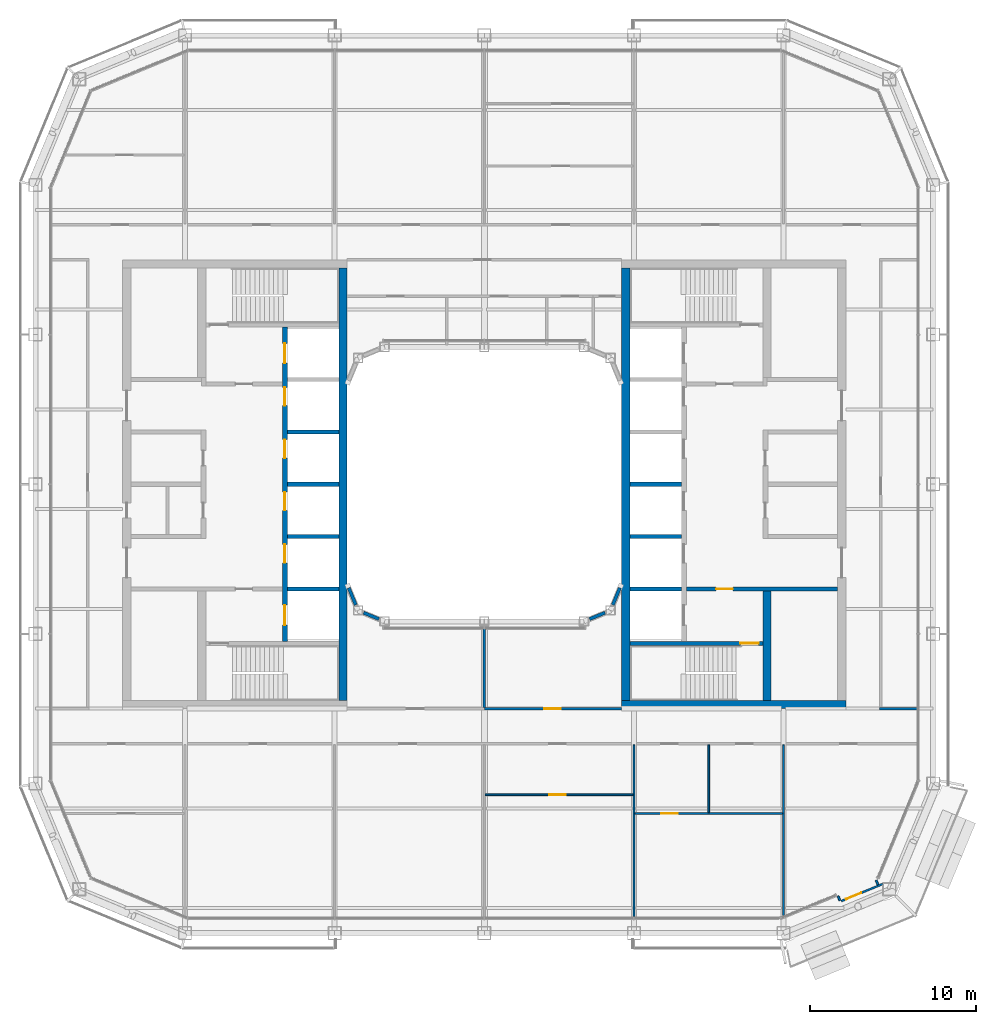
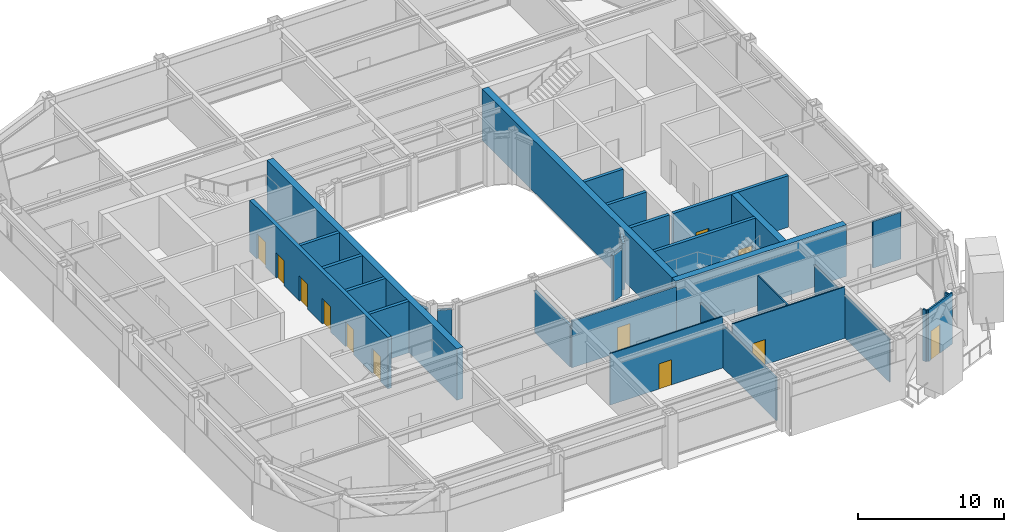
# One storey, part 13 of 23: 29 walls, 12 doors, 12 openings.
"""IFC4 building model written with IfcOpenShell, lengths in metres."""

from ifc_helpers import new_model, si_unit, direction, frame, frame_2d, origin, place, context, subcontext, project, spatial, rectangle, extrude, material, layer, layer_set, type_object, element, fill, save


model = new_model("IFC4")

# Units and contexts
model_context = context("Model", 3, precision=1e-05, world=origin(), true_north=direction((0.0, 1.0)))
body_context = subcontext(model_context, "Body", "Model", "MODEL_VIEW")
ifc_project = project(units=[si_unit("LENGTHUNIT", "METRE"), si_unit("AREAUNIT", "SQUARE_METRE"), si_unit("VOLUMEUNIT", "CUBIC_METRE"), si_unit("PLANEANGLEUNIT", "RADIAN"), si_unit("MASSUNIT", "GRAM", prefix="KILO")], contexts=[model_context])

# Site, building, storey
site_placement = place(None, origin())
site = spatial("IfcSite", under=ifc_project, at=site_placement, CompositionType="ELEMENT")
building_placement = place(site_placement, origin())
building = spatial("IfcBuilding", under=site, at=building_placement, Name="Siwar Civic Tower", CompositionType="ELEMENT")
storey_placement = place(building_placement, frame((0.0, 0.0, 273.699951171875)))
storey = spatial("IfcBuildingStorey", under=building, at=storey_placement, Name="L59", CompositionType="ELEMENT", Elevation=273.699951171875)

# Walls
ifc_material_1 = material(Name="Gypsum board on steel studs", Category="steel")
ifc_layer_1 = layer(ifc_material_1, 0.14990234375)
ifc_layer_set_1 = layer_set([ifc_layer_1], Name="Gypsum board on steel studs")
wall_type_1 = type_object("IfcWallType", Name="COMPARTMENT PARTITION 150 EI 60", PredefinedType="PARTITIONING", material=ifc_layer_set_1)
wall_1_placement = place(storey_placement, frame((0.0, -13.425048828125, 0.0), z_axis=(0.0, 0.0, 1.0), x_axis=(0.0, 1.0, 0.0)))
element("IfcWall", 1, at=wall_1_placement, inside=storey, type_object=wall_type_1, Name="L59/wall/P26", PredefinedType="PARTITIONING", context=body_context, shape_type="SweptSolid", body=[
    extrude(rectangle(XDim=4.824951171875, YDim=0.14990234375, at=frame_2d((2.41259765625, 0.0))), origin(), (0.0, 0.0, 1.0), 3.5),
])
ifc_material_2 = material(Name="Concrete C60/75", Category="concrete")
ifc_layer_2 = layer(ifc_material_2, 0.25)
ifc_layer_set_2 = layer_set([ifc_layer_2], Name="Concrete C60/75")
wall_type_2 = type_object("IfcWallType", Name="CORE-WALL-RC250", PredefinedType="SHEAR", material=ifc_layer_set_2)
for number, where, z_axis, x_axis, name in (
    (2, (-8.75, 0.0, 0.0), (0.0, 0.0, 1.0), (-1.0, 0.0, 0.0), "Core wall W"),
    (3, (-8.75, 3.14990234375, 0.0), (0.0, 0.0, 1.0), (-1.0, 0.0, 0.0), "Core wall W"),
    (4, (-8.75, -3.14990234375, 0.0), (0.0, 0.0, 1.0), (-1.0, 0.0, 0.0), "Core wall W"),
    (5, (-8.75, -6.300048828125, 0.0), (0.0, 0.0, 1.0), (-1.0, 0.0, 0.0), "Core wall W"),
):
    element("IfcWall", number, at=place(storey_placement, frame(where, z_axis=z_axis, x_axis=x_axis)), inside=storey, type_object=wall_type_2, Name=name, PredefinedType="SHEAR", context=body_context, shape_type="SweptSolid", body=[
        extrude(rectangle(XDim=3.10009765625, YDim=0.25, at=frame_2d((1.550048828125, 0.0))), origin(), (0.0, 0.0, 1.0), 4.300048828125),
    ])

# Wall, opening, door
wall_2_placement = place(storey_placement, frame((12.14990234375, -6.300048828125, 0.0), z_axis=(0.0, 0.0, 1.0), x_axis=(1.0, 0.0, 0.0)))
wall_2 = element("IfcWall", 6, at=wall_2_placement, inside=storey, type_object=wall_type_2, Name="Core wall E", PredefinedType="SHEAR", context=body_context, shape_type="SweptSolid", body=[
    extrude(rectangle(XDim=9.10009765625, YDim=0.25, at=frame_2d((4.550048828125, 0.0))), origin(), (0.0, 0.0, 1.0), 4.300048828125),
])
opening_1_placement = place(wall_2_placement, frame((1.800048828125, 0.0, 0.0)))
opening_1 = element("IfcOpeningElement", 7, at=opening_1_placement, cuts=wall_2, Name="Opening L59-CE02", PredefinedType="OPENING", context=body_context, shape_type="SweptSolid", body=[
    extrude(rectangle(XDim=1.0, YDim=2.10009765625, at=frame_2d((0.5, 1.050048828125))), frame((0.0, 0.135009765625, 0.0), z_axis=(0.0, -1.0, 0.0), x_axis=(1.0, 0.0, 0.0)), (0.0, 0.0, 1.0), 0.27001953125),
])
ifc_material_3 = material(Name="Steel door leaf", Category="steel")
door_type_1 = type_object("IfcDoorType", Name="CORE-DOOR-FD30S", OperationType="SINGLE_SWING_LEFT", PredefinedType="DOOR", material=ifc_material_3)
door_1_placement = place(opening_1_placement, origin())
door_1 = element("IfcDoor", 8, at=door_1_placement, inside=storey, type_object=door_type_1, Name="Service lobby door L59-CE02", OperationType="SINGLE_SWING_LEFT", OverallHeight=2.10009765625, OverallWidth=1.0, PredefinedType="DOOR", context=body_context, shape_type="SweptSolid", body=[
    extrude(rectangle(XDim=1.0, YDim=2.10009765625, at=frame_2d((0.5, 1.050048828125))), frame((0.0, 0.02490234375, 0.0), z_axis=(0.0, -1.0, 0.0), x_axis=(1.0, 0.0, 0.0)), (0.0, 0.0, 1.0), 0.050048828125),
])
fill(opening_1, door_1)

# Walls
for number, where, z_axis, x_axis, name in (
    (9, (8.75, 0.0, 0.0), (0.0, 0.0, 1.0), (1.0, 0.0, 0.0), "Core wall E"),
    (10, (8.75, -3.14990234375, 0.0), (0.0, 0.0, 1.0), (1.0, 0.0, 0.0), "Core wall E"),
    (11, (8.75, -6.300048828125, 0.0), (0.0, 0.0, 1.0), (1.0, 0.0, 0.0), "Core wall E"),
):
    element("IfcWall", number, at=place(storey_placement, frame(where, z_axis=z_axis, x_axis=x_axis)), inside=storey, type_object=wall_type_2, Name=name, PredefinedType="SHEAR", context=body_context, shape_type="SweptSolid", body=[
        extrude(rectangle(XDim=3.10009765625, YDim=0.25, at=frame_2d((1.550048828125, 0.0))), origin(), (0.0, 0.0, 1.0), 4.300048828125),
    ])

# Wall, opening, door
wall_3_placement = place(storey_placement, frame((8.75, -9.574951171875, 0.0), z_axis=(0.0, 0.0, 1.0), x_axis=(1.0, 0.0, 0.0)))
wall_3 = element("IfcWall", 12, at=wall_3_placement, inside=storey, type_object=wall_type_2, Name="Core wall E", PredefinedType="SHEAR", context=body_context, shape_type="SweptSolid", body=[
    extrude(rectangle(XDim=8.0, YDim=0.25, at=frame_2d((4.0, 0.0))), origin(), (0.0, 0.0, 1.0), 4.300048828125),
])
opening_2_placement = place(wall_3_placement, frame((6.64990234375, 0.0, 0.0)))
opening_2 = element("IfcOpeningElement", 13, at=opening_2_placement, cuts=wall_3, Name="Opening L59-CE04", PredefinedType="OPENING", context=body_context, shape_type="SweptSolid", body=[
    extrude(rectangle(XDim=1.10009765625, YDim=2.10009765625, at=frame_2d((0.550048828125, 1.050048828125))), frame((0.0, 0.135009765625, 0.0), z_axis=(0.0, -1.0, 0.0), x_axis=(1.0, 0.0, 0.0)), (0.0, 0.0, 1.0), 0.27001953125),
])
ifc_material_4 = material(Name="Steel door leaf", Category="steel")
door_type_2 = type_object("IfcDoorType", Name="CORE-DOOR-FD60S", OperationType="SINGLE_SWING_LEFT", PredefinedType="DOOR", material=ifc_material_4)
door_2_placement = place(opening_2_placement, origin())
door_2 = element("IfcDoor", 14, at=door_2_placement, inside=storey, type_object=door_type_2, Name="Stair door L59-CE04", OperationType="SINGLE_SWING_RIGHT", OverallHeight=2.10009765625, OverallWidth=1.10009765625, PredefinedType="DOOR", context=body_context, shape_type="SweptSolid", body=[
    extrude(rectangle(XDim=1.10009765625, YDim=2.10009765625, at=frame_2d((0.550048828125, 1.050048828125))), frame((0.0, 0.02490234375, 0.0), z_axis=(0.0, -1.0, 0.0), x_axis=(1.0, 0.0, 0.0)), (0.0, 0.0, 1.0), 0.050048828125),
])
fill(opening_2, door_2)

# Wall, openings, doors
ifc_material_5 = material(Name="Concrete C60/75", Category="concrete")
ifc_layer_3 = layer(ifc_material_5, 0.300048828125)
ifc_layer_set_3 = layer_set([ifc_layer_3], Name="Concrete C60/75")
wall_type_3 = type_object("IfcWallType", Name="CORE-WALL-RC300", PredefinedType="SHEAR", material=ifc_layer_set_3)
wall_4_placement = place(storey_placement, frame((-12.0, -9.449951171875, 0.0), z_axis=(0.0, 0.0, 1.0), x_axis=(0.0, 1.0, 0.0)))
wall_4 = element("IfcWall", 15, at=wall_4_placement, inside=storey, type_object=wall_type_3, Name="Core wall W", PredefinedType="SHEAR", context=body_context, shape_type="SweptSolid", body=[
    extrude(rectangle(XDim=18.89990234375, YDim=0.300048828125, at=frame_2d((9.449951171875, 0.0))), origin(), (0.0, 0.0, 1.0), 4.300048828125),
])
opening_3_placement = place(wall_4_placement, frame((4.72509765625, 0.0, 0.0)))
opening_3 = element("IfcOpeningElement", 16, at=opening_3_placement, cuts=wall_4, Name="Opening L59-CW07", PredefinedType="OPENING", context=body_context, shape_type="SweptSolid", body=[
    extrude(rectangle(XDim=1.10009765625, YDim=2.10009765625, at=frame_2d((0.550048828125, 1.050048828125))), frame((0.0, 0.16015625, 0.0), z_axis=(0.0, -1.0, 0.0), x_axis=(1.0, 0.0, 0.0)), (0.0, 0.0, 1.0), 0.320068359375),
])
opening_4_placement = place(wall_4_placement, frame((7.875, 0.0, 0.0)))
opening_4 = element("IfcOpeningElement", 17, at=opening_4_placement, cuts=wall_4, Name="Opening L59-CW08", PredefinedType="OPENING", context=body_context, shape_type="SweptSolid", body=[
    extrude(rectangle(XDim=1.10009765625, YDim=2.10009765625, at=frame_2d((0.550048828125, 1.050048828125))), frame((0.0, 0.16015625, 0.0), z_axis=(0.0, -1.0, 0.0), x_axis=(1.0, 0.0, 0.0)), (0.0, 0.0, 1.0), 0.320068359375),
])
opening_5_placement = place(wall_4_placement, frame((11.02490234375, 0.0, 0.0)))
opening_5 = element("IfcOpeningElement", 18, at=opening_5_placement, cuts=wall_4, Name="Opening L59-CW09", PredefinedType="OPENING", context=body_context, shape_type="SweptSolid", body=[
    extrude(rectangle(XDim=1.10009765625, YDim=2.10009765625, at=frame_2d((0.550048828125, 1.050048828125))), frame((0.0, 0.16015625, 0.0), z_axis=(0.0, -1.0, 0.0), x_axis=(1.0, 0.0, 0.0)), (0.0, 0.0, 1.0), 0.320068359375),
])
opening_6_placement = place(wall_4_placement, frame((14.175048828125, 0.0, 0.0)))
opening_6 = element("IfcOpeningElement", 19, at=opening_6_placement, cuts=wall_4, Name="Opening L59-CW10", PredefinedType="OPENING", context=body_context, shape_type="SweptSolid", body=[
    extrude(rectangle(XDim=1.10009765625, YDim=2.10009765625, at=frame_2d((0.550048828125, 1.050048828125))), frame((0.0, 0.16015625, 0.0), z_axis=(0.0, -1.0, 0.0), x_axis=(1.0, 0.0, 0.0)), (0.0, 0.0, 1.0), 0.320068359375),
])
opening_7_placement = place(wall_4_placement, frame((16.72509765625, 0.0, 0.0)))
opening_7 = element("IfcOpeningElement", 20, at=opening_7_placement, cuts=wall_4, Name="Opening L59-CW11", PredefinedType="OPENING", context=body_context, shape_type="SweptSolid", body=[
    extrude(rectangle(XDim=1.199951171875, YDim=2.10009765625, at=frame_2d((0.60009765625, 1.050048828125))), frame((0.0, 0.16015625, 0.0), z_axis=(0.0, -1.0, 0.0), x_axis=(1.0, 0.0, 0.0)), (0.0, 0.0, 1.0), 0.320068359375),
])
opening_8_placement = place(wall_4_placement, frame((0.97509765625, 0.0, 0.0)))
opening_8 = element("IfcOpeningElement", 21, at=opening_8_placement, cuts=wall_4, Name="Opening L59-CW12", PredefinedType="OPENING", context=body_context, shape_type="SweptSolid", body=[
    extrude(rectangle(XDim=1.199951171875, YDim=2.10009765625, at=frame_2d((0.60009765625, 1.050048828125))), frame((0.0, 0.16015625, 0.0), z_axis=(0.0, -1.0, 0.0), x_axis=(1.0, 0.0, 0.0)), (0.0, 0.0, 1.0), 0.320068359375),
])
ifc_material_6 = material(Name="Steel door leaf", Category="steel")
door_type_3 = type_object("IfcDoorType", Name="CORE-DOOR-LD", OperationType="DOUBLE_DOOR_SLIDING", PredefinedType="DOOR", material=ifc_material_6)
door_3_placement = place(opening_3_placement, origin())
door_3 = element("IfcDoor", 22, at=door_3_placement, inside=storey, type_object=door_type_3, Name="Landing door HR1 L59-CW07", OperationType="DOUBLE_DOOR_SLIDING", OverallHeight=2.10009765625, OverallWidth=1.10009765625, PredefinedType="DOOR", context=body_context, shape_type="SweptSolid", body=[
    extrude(rectangle(XDim=1.10009765625, YDim=2.10009765625, at=frame_2d((0.550048828125, 1.050048828125))), frame((0.0, 0.02490234375, 0.0), z_axis=(0.0, -1.0, 0.0), x_axis=(1.0, 0.0, 0.0)), (0.0, 0.0, 1.0), 0.050048828125),
])
fill(opening_3, door_3)
door_4_placement = place(opening_4_placement, origin())
door_4 = element("IfcDoor", 23, at=door_4_placement, inside=storey, type_object=door_type_3, Name="Landing door HR2 L59-CW08", OperationType="DOUBLE_DOOR_SLIDING", OverallHeight=2.10009765625, OverallWidth=1.10009765625, PredefinedType="DOOR", context=body_context, shape_type="SweptSolid", body=[
    extrude(rectangle(XDim=1.10009765625, YDim=2.10009765625, at=frame_2d((0.550048828125, 1.050048828125))), frame((0.0, 0.02490234375, 0.0), z_axis=(0.0, -1.0, 0.0), x_axis=(1.0, 0.0, 0.0)), (0.0, 0.0, 1.0), 0.050048828125),
])
fill(opening_4, door_4)
door_5_placement = place(opening_5_placement, origin())
door_5 = element("IfcDoor", 24, at=door_5_placement, inside=storey, type_object=door_type_3, Name="Landing door HR3 L59-CW09", OperationType="DOUBLE_DOOR_SLIDING", OverallHeight=2.10009765625, OverallWidth=1.10009765625, PredefinedType="DOOR", context=body_context, shape_type="SweptSolid", body=[
    extrude(rectangle(XDim=1.10009765625, YDim=2.10009765625, at=frame_2d((0.550048828125, 1.050048828125))), frame((0.0, 0.02490234375, 0.0), z_axis=(0.0, -1.0, 0.0), x_axis=(1.0, 0.0, 0.0)), (0.0, 0.0, 1.0), 0.050048828125),
])
fill(opening_5, door_5)
door_6_placement = place(opening_6_placement, origin())
door_6 = element("IfcDoor", 25, at=door_6_placement, inside=storey, type_object=door_type_3, Name="Landing door HR4 L59-CW10", OperationType="DOUBLE_DOOR_SLIDING", OverallHeight=2.10009765625, OverallWidth=1.10009765625, PredefinedType="DOOR", context=body_context, shape_type="SweptSolid", body=[
    extrude(rectangle(XDim=1.10009765625, YDim=2.10009765625, at=frame_2d((0.550048828125, 1.050048828125))), frame((0.0, 0.02490234375, 0.0), z_axis=(0.0, -1.0, 0.0), x_axis=(1.0, 0.0, 0.0)), (0.0, 0.0, 1.0), 0.050048828125),
])
fill(opening_6, door_6)
ifc_material_7 = material(Name="Steel door leaf", Category="steel")
door_type_4 = type_object("IfcDoorType", Name="CORE-DOOR-LDW", OperationType="DOUBLE_DOOR_SLIDING", PredefinedType="DOOR", material=ifc_material_7)
door_7_placement = place(opening_7_placement, origin())
door_7 = element("IfcDoor", 26, at=door_7_placement, inside=storey, type_object=door_type_4, Name="Landing door FF1 L59-CW11", OperationType="DOUBLE_DOOR_SLIDING", OverallHeight=2.10009765625, OverallWidth=1.199951171875, PredefinedType="DOOR", context=body_context, shape_type="SweptSolid", body=[
    extrude(rectangle(XDim=1.199951171875, YDim=2.10009765625, at=frame_2d((0.60009765625, 1.050048828125))), frame((0.0, 0.02490234375, 0.0), z_axis=(0.0, -1.0, 0.0), x_axis=(1.0, 0.0, 0.0)), (0.0, 0.0, 1.0), 0.050048828125),
])
fill(opening_7, door_7)
door_8_placement = place(opening_8_placement, origin())
door_8 = element("IfcDoor", 27, at=door_8_placement, inside=storey, type_object=door_type_4, Name="Landing door SV1 L59-CW12", OperationType="DOUBLE_DOOR_SLIDING", OverallHeight=2.10009765625, OverallWidth=1.199951171875, PredefinedType="DOOR", context=body_context, shape_type="SweptSolid", body=[
    extrude(rectangle(XDim=1.199951171875, YDim=2.10009765625, at=frame_2d((0.60009765625, 1.050048828125))), frame((0.0, 0.02490234375, 0.0), z_axis=(0.0, -1.0, 0.0), x_axis=(1.0, 0.0, 0.0)), (0.0, 0.0, 1.0), 0.050048828125),
])
fill(opening_8, door_8)

# Walls
ifc_material_8 = material(Name="Concrete C60/75", Category="concrete")
ifc_layer_4 = layer(ifc_material_8, 0.5)
ifc_layer_set_4 = layer_set([ifc_layer_4], Name="Concrete C60/75")
wall_type_4 = type_object("IfcWallType", Name="CORE-WALL-RC500", PredefinedType="SHEAR", material=ifc_layer_set_4)
wall_5_placement = place(storey_placement, frame((17.0, -13.0, 0.0), z_axis=(0.0, 0.0, 1.0), x_axis=(0.0, 1.0, 0.0)))
element("IfcWall", 28, at=wall_5_placement, inside=storey, type_object=wall_type_4, Name="Core wall E", PredefinedType="SHEAR", context=body_context, shape_type="SweptSolid", body=[
    extrude(rectangle(XDim=6.574951171875, YDim=0.5, at=frame_2d((3.28759765625, 0.0))), origin(), (0.0, 0.0, 1.0), 4.300048828125),
])
wall_6_placement = place(storey_placement, frame((8.25, -13.25, 0.0), z_axis=(0.0, 0.0, 1.0), x_axis=(1.0, 0.0, 0.0)))
element("IfcWall", 29, at=wall_6_placement, inside=storey, type_object=wall_type_4, Name="Core wall E", PredefinedType="SHEAR", context=body_context, shape_type="SweptSolid", body=[
    extrude(rectangle(XDim=13.5, YDim=0.5, at=frame_2d((6.75, 0.0))), origin(), (0.0, 0.0, 1.0), 4.300048828125),
])
ifc_material_9 = material(Name="Concrete C60/75", Category="concrete")
ifc_layer_5 = layer(ifc_material_9, 0.5)
ifc_layer_set_5 = layer_set([ifc_layer_5], Name="Concrete C60/75")
wall_type_5 = type_object("IfcWallType", Name="CORE-WALL-RC500-EXT", PredefinedType="SHEAR", material=ifc_layer_set_5)
for number, where, z_axis, x_axis, name in (
    (30, (-8.5, -13.0, 0.0), (0.0, 0.0, 1.0), (0.0, 1.0, 0.0), "Core wall W"),
    (31, (8.5, -13.0, 0.0), (0.0, 0.0, 1.0), (0.0, 1.0, 0.0), "Core wall E"),
):
    element("IfcWall", number, at=place(storey_placement, frame(where, z_axis=z_axis, x_axis=x_axis)), inside=storey, type_object=wall_type_5, Name=name, PredefinedType="SHEAR", context=body_context, shape_type="SweptSolid", body=[
        extrude(rectangle(XDim=26.0, YDim=0.5, at=frame_2d((13.0, 0.0))), origin(), (0.0, 0.0, 1.0), 4.300048828125),
    ])

# Wall, opening, door
ifc_material_10 = material(Name="Gypsum board on steel studs", Category="steel")
ifc_layer_6 = layer(ifc_material_10, 0.14990234375)
ifc_layer_set_6 = layer_set([ifc_layer_6], Name="Gypsum board on steel studs")
wall_type_6 = type_object("IfcWallType", Name="CORRIDOR PARTITION 150 EI 30", PredefinedType="PARTITIONING", material=ifc_layer_set_6)
wall_7_placement = place(storey_placement, frame((0.0, -13.5, 0.0), z_axis=(0.0, 0.0, 1.0), x_axis=(1.0, 0.0, 0.0)))
wall_7 = element("IfcWall", 32, at=wall_7_placement, inside=storey, type_object=wall_type_6, Name="L59/wall/P06", PredefinedType="PARTITIONING", context=body_context, shape_type="SweptSolid", body=[
    extrude(rectangle(XDim=8.25, YDim=0.14990234375, at=frame_2d((4.125, 0.0))), origin(), (0.0, 0.0, 1.0), 3.900146484375),
])
opening_9_placement = place(wall_7_placement, frame((3.60009765625, 0.0, 0.0)))
opening_9 = element("IfcOpeningElement", 33, at=opening_9_placement, cuts=wall_7, Name="Opening D1", PredefinedType="OPENING", context=body_context, shape_type="SweptSolid", body=[
    extrude(rectangle(XDim=1.0, YDim=2.10009765625, at=frame_2d((0.5, 1.050048828125))), frame((0.0, 0.0849609375, 0.0), z_axis=(0.0, -1.0, 0.0), x_axis=(1.0, 0.0, 0.0)), (0.0, 0.0, 1.0), 0.169921875),
])
ifc_material_11 = material(Name="Timber, painted", Category="wood")
door_type_5 = type_object("IfcDoorType", Name="DOOR 1000 X 2100 FD30", OperationType="SINGLE_SWING_LEFT", PredefinedType="DOOR", material=ifc_material_11)
door_9_placement = place(opening_9_placement, origin())
door_9 = element("IfcDoor", 34, at=door_9_placement, inside=storey, type_object=door_type_5, Name="L59-D28", OperationType="SINGLE_SWING_RIGHT", OverallHeight=2.10009765625, OverallWidth=1.0, PredefinedType="DOOR", context=body_context, shape_type="SweptSolid", body=[
    extrude(rectangle(XDim=1.0, YDim=2.10009765625, at=frame_2d((0.5, 1.050048828125))), frame((0.0, 0.02490234375, 0.0), z_axis=(0.0, -1.0, 0.0), x_axis=(1.0, 0.0, 0.0)), (0.0, 0.0, 1.0), 0.050048828125),
])
fill(opening_9, door_9)

# Walls
wall_8_placement = place(storey_placement, frame((23.77490234375, -13.5, 0.0), z_axis=(0.0, 0.0, 1.0), x_axis=(1.0, 0.0, 0.0)))
element("IfcWall", 35, at=wall_8_placement, inside=storey, type_object=wall_type_6, Name="L59/wall/P07", PredefinedType="PARTITIONING", context=body_context, shape_type="SweptSolid", body=[
    extrude(rectangle(XDim=2.235107421875, YDim=0.14990234375, at=frame_2d((1.11767578125, 0.0))), origin(), (0.0, 0.0, 1.0), 3.900146484375),
])
ifc_material_12 = material(Name="Aluminium clad insulated panel", Category="aluminium")
ifc_layer_7 = layer(ifc_material_12, 0.1201171875)
ifc_layer_set_7 = layer_set([ifc_layer_7], Name="Aluminium clad insulated panel")
wall_type_7 = type_object("IfcWallType", Name="ENV-WALL-BAL", PredefinedType="STANDARD", material=ifc_layer_set_7)
wall_9_placement = place(storey_placement, frame((21.27587890625, -24.766357421875, 0.0), z_axis=(0.0, 0.0, 1.0), x_axis=(0.382591441855, -0.923917630863, 0.0)))
element("IfcWall", 36, at=wall_9_placement, inside=storey, type_object=wall_type_7, Name="Balcony door wall return SE1", PredefinedType="STANDARD", context=body_context, shape_type="SweptSolid", body=[
    extrude(rectangle(XDim=0.2998046875, YDim=0.1201171875, at=frame_2d((0.14990234375, 0.0))), origin(), (0.0, 0.0, 1.0), 4.300048828125),
])
wall_10_placement = place(storey_placement, frame((23.56640625, -23.817626953125, 0.0), z_axis=(0.0, 0.0, 1.0), x_axis=(0.383285987724, -0.923629715641, 0.0)))
element("IfcWall", 37, at=wall_10_placement, inside=storey, type_object=wall_type_7, Name="Balcony door wall return SE1", PredefinedType="STANDARD", context=body_context, shape_type="SweptSolid", body=[
    extrude(rectangle(XDim=0.300048828125, YDim=0.1201171875, at=frame_2d((0.14990234375, 0.0))), origin(), (0.0, 0.0, 1.0), 4.300048828125),
])

# Wall, opening, door
wall_11_placement = place(storey_placement, frame((21.468994140625, -25.075927734375, 0.0), z_axis=(0.0, 0.0, 1.0), x_axis=(0.923874686516, 0.382695131424, 0.0)))
wall_11 = element("IfcWall", 38, at=wall_11_placement, inside=storey, type_object=wall_type_7, Name="Balcony door wall SE1", PredefinedType="STANDARD", context=body_context, shape_type="SweptSolid", body=[
    extrude(rectangle(XDim=2.700439453125, YDim=0.1201171875, at=frame_2d((1.35009765625, 0.0))), origin(), (0.0, 0.0, 1.0), 4.300048828125),
])
opening_10_placement = place(wall_11_placement, frame((0.300048828125, 0.0, 0.0)))
opening_10 = element("IfcOpeningElement", 39, at=opening_10_placement, cuts=wall_11, Name="Opening D-BAL", PredefinedType="OPENING", context=body_context, shape_type="SweptSolid", body=[
    extrude(rectangle(XDim=1.0, YDim=2.39990234375, at=frame_2d((0.5, 1.199951171875))), frame((0.0, 0.070068359375, 0.0), z_axis=(0.0, -1.0, 0.0), x_axis=(1.0, 0.0, 0.0)), (0.0, 0.0, 1.0), 0.14013671875),
])
ifc_material_13 = material(Name="Aluminium and glass", Category="aluminium")
door_type_6 = type_object("IfcDoorType", Name="ENV-DOOR-BAL", OperationType="SINGLE_SWING_LEFT", PredefinedType="DOOR", material=ifc_material_13)
door_10_placement = place(opening_10_placement, origin())
door_10 = element("IfcDoor", 40, at=door_10_placement, inside=storey, type_object=door_type_6, Name="Balcony door SE", OperationType="SINGLE_SWING_LEFT", OverallHeight=2.39990234375, OverallWidth=1.0, PredefinedType="DOOR", context=body_context, shape_type="SweptSolid", body=[
    extrude(rectangle(XDim=1.0, YDim=2.39990234375, at=frame_2d((0.5, 1.199951171875))), frame((0.0, 0.02490234375, 0.0), z_axis=(0.0, -1.0, 0.0), x_axis=(1.0, 0.0, 0.0)), (0.0, 0.0, 1.0), 0.050048828125),
])
fill(opening_10, door_10)

# Walls
ifc_material_14 = material(Name="Aluminium clad insulated panel", Category="aluminium")
ifc_layer_8 = layer(ifc_material_14, 0.199951171875)
ifc_layer_set_8 = layer_set([ifc_layer_8], Name="Aluminium clad insulated panel")
wall_type_8 = type_object("IfcWallType", Name="ENV-WALL-WELL", PredefinedType="STANDARD", material=ifc_layer_set_8)
wall_12_placement = place(storey_placement, frame((6.33203125, -8.112548828125, 0.0), z_axis=(0.0, 0.0, 1.0), x_axis=(0.923859650767, 0.382731427616, 0.0)))
element("IfcWall", 41, at=wall_12_placement, inside=storey, type_object=wall_type_8, Name="Light well corner wall SE1", PredefinedType="STANDARD", context=body_context, shape_type="SweptSolid", body=[
    extrude(rectangle(XDim=1.00341796875, YDim=0.199951171875, at=frame_2d((0.501708984375, 0.0))), origin(), (0.0, 0.0, 1.0), 3.8681640625),
])
for number, where, z_axis, x_axis, name in (
    (42, (7.728515625, -7.259033203125, 0.0), (0.0, 0.0, 1.0), (0.382635994082, 0.923899180665, 0.0), "Light well corner wall SE2"),
    (43, (-8.154296875, -6.23095703125, 0.0), (0.0, 0.0, 1.0), (0.382635994082, -0.923899180665, 0.0), "Light well corner wall SW1"),
):
    element("IfcWall", number, at=place(storey_placement, frame(where, z_axis=z_axis, x_axis=x_axis)), inside=storey, type_object=wall_type_8, Name=name, PredefinedType="STANDARD", context=body_context, shape_type="SweptSolid", body=[
        extrude(rectangle(XDim=1.11279296875, YDim=0.199951171875, at=frame_2d((0.556396484375, 0.0))), origin(), (0.0, 0.0, 1.0), 3.8681640625),
    ])
wall_13_placement = place(storey_placement, frame((-7.259033203125, -7.728515625, 0.0), z_axis=(0.0, 0.0, 1.0), x_axis=(0.923859650767, -0.382731427616, 0.0)))
element("IfcWall", 44, at=wall_13_placement, inside=storey, type_object=wall_type_8, Name="Light well corner wall SW2", PredefinedType="STANDARD", context=body_context, shape_type="SweptSolid", body=[
    extrude(rectangle(XDim=1.00341796875, YDim=0.199951171875, at=frame_2d((0.501708984375, 0.0))), origin(), (0.0, 0.0, 1.0), 3.8681640625),
])

# Wall, opening, door
ifc_material_15 = material(Name="Gypsum board on steel studs", Category="steel")
ifc_layer_9 = layer(ifc_material_15, 0.10009765625)
ifc_layer_set_9 = layer_set([ifc_layer_9], Name="Gypsum board on steel studs")
wall_type_9 = type_object("IfcWallType", Name="PARTITION 100 GYPSUM", PredefinedType="PARTITIONING", material=ifc_layer_set_9)
wall_14_placement = place(storey_placement, frame((9.050048828125, -19.800048828125, 0.0), z_axis=(0.0, 0.0, 1.0), x_axis=(1.0, 0.0, 0.0)))
wall_14 = element("IfcWall", 45, at=wall_14_placement, inside=storey, type_object=wall_type_9, Name="L59/wall/P02", PredefinedType="PARTITIONING", context=body_context, shape_type="SweptSolid", body=[
    extrude(rectangle(XDim=8.89990234375, YDim=0.10009765625, at=frame_2d((4.449951171875, 0.0))), origin(), (0.0, 0.0, 1.0), 4.300048828125),
])
opening_11_placement = place(wall_14_placement, frame((1.60009765625, 0.0, 0.0)))
opening_11 = element("IfcOpeningElement", 46, at=opening_11_placement, cuts=wall_14, Name="Opening D2", PredefinedType="OPENING", context=body_context, shape_type="SweptSolid", body=[
    extrude(rectangle(XDim=1.0, YDim=2.10009765625, at=frame_2d((0.5, 1.050048828125))), frame((0.0, 0.06005859375, 0.0), z_axis=(0.0, -1.0, 0.0), x_axis=(1.0, 0.0, 0.0)), (0.0, 0.0, 1.0), 0.1201171875),
])
ifc_material_16 = material(Name="Timber, painted", Category="wood")
door_type_7 = type_object("IfcDoorType", Name="DOOR 1000 X 2100", OperationType="SINGLE_SWING_LEFT", PredefinedType="DOOR", material=ifc_material_16)
door_11_placement = place(opening_11_placement, origin())
door_11 = element("IfcDoor", 47, at=door_11_placement, inside=storey, type_object=door_type_7, Name="L59-D13", OperationType="SINGLE_SWING_LEFT", OverallHeight=2.10009765625, OverallWidth=1.0, PredefinedType="DOOR", context=body_context, shape_type="SweptSolid", body=[
    extrude(rectangle(XDim=1.0, YDim=2.10009765625, at=frame_2d((0.5, 1.050048828125))), frame((0.0, 0.02490234375, 0.0), z_axis=(0.0, -1.0, 0.0), x_axis=(1.0, 0.0, 0.0)), (0.0, 0.0, 1.0), 0.050048828125),
])
fill(opening_11, door_11)

wall_15_placement = place(storey_placement, frame((0.050048828125, -18.679931640625, 0.0), z_axis=(0.0, 0.0, 1.0), x_axis=(1.0, 0.0, 0.0)))
wall_15 = element("IfcWall", 48, at=wall_15_placement, inside=storey, type_object=wall_type_9, Name="L59/wall/P03", PredefinedType="PARTITIONING", context=body_context, shape_type="SweptSolid", body=[
    extrude(rectangle(XDim=8.89990234375, YDim=0.10009765625, at=frame_2d((4.449951171875, 0.0))), origin(), (0.0, 0.0, 1.0), 4.300048828125),
])
opening_12_placement = place(wall_15_placement, frame((3.85009765625, 0.0, 0.0)))
opening_12 = element("IfcOpeningElement", 49, at=opening_12_placement, cuts=wall_15, Name="Opening D2", PredefinedType="OPENING", context=body_context, shape_type="SweptSolid", body=[
    extrude(rectangle(XDim=1.0, YDim=2.10009765625, at=frame_2d((0.5, 1.050048828125))), frame((0.0, 0.06005859375, 0.0), z_axis=(0.0, -1.0, 0.0), x_axis=(1.0, 0.0, 0.0)), (0.0, 0.0, 1.0), 0.1201171875),
])
door_12_placement = place(opening_12_placement, origin())
door_12 = element("IfcDoor", 50, at=door_12_placement, inside=storey, type_object=door_type_7, Name="L59-D10", OperationType="SINGLE_SWING_RIGHT", OverallHeight=2.10009765625, OverallWidth=1.0, PredefinedType="DOOR", context=body_context, shape_type="SweptSolid", body=[
    extrude(rectangle(XDim=1.0, YDim=2.10009765625, at=frame_2d((0.5, 1.050048828125))), frame((0.0, 0.02490234375, 0.0), z_axis=(0.0, -1.0, 0.0), x_axis=(1.0, 0.0, 0.0)), (0.0, 0.0, 1.0), 0.050048828125),
])
fill(opening_12, door_12)

# Walls
wall_16_placement = place(storey_placement, frame((9.0, -26.010009765625, 0.0), z_axis=(0.0, 0.0, 1.0), x_axis=(0.0, 1.0, 0.0)))
element("IfcWall", 51, at=wall_16_placement, inside=storey, type_object=wall_type_9, Name="L59/wall/P29", PredefinedType="PARTITIONING", context=body_context, shape_type="SweptSolid", body=[
    extrude(rectangle(XDim=10.3349609375, YDim=0.10009765625, at=frame_2d((5.16748046875, 0.0))), origin(), (0.0, 0.0, 1.0), 3.60009765625),
])
wall_17_placement = place(storey_placement, frame((13.5, -19.75, 0.0), z_axis=(0.0, 0.0, 1.0), x_axis=(0.0, 1.0, 0.0)))
element("IfcWall", 52, at=wall_17_placement, inside=storey, type_object=wall_type_9, Name="L59/wall/P31", PredefinedType="PARTITIONING", context=body_context, shape_type="SweptSolid", body=[
    extrude(rectangle(XDim=4.074951171875, YDim=0.10009765625, at=frame_2d((2.03759765625, 0.0))), origin(), (0.0, 0.0, 1.0), 4.300048828125),
])
wall_18_placement = place(storey_placement, frame((18.0, -25.927978515625, 0.0), z_axis=(0.0, 0.0, 1.0), x_axis=(0.0, 1.0, 0.0)))
element("IfcWall", 53, at=wall_18_placement, inside=storey, type_object=wall_type_9, Name="L59/wall/P32", PredefinedType="PARTITIONING", context=body_context, shape_type="SweptSolid", body=[
    extrude(rectangle(XDim=10.2529296875, YDim=0.10009765625, at=frame_2d((5.12646484375, 0.0))), origin(), (0.0, 0.0, 1.0), 3.60009765625),
])

save(model, "model.ifc")
